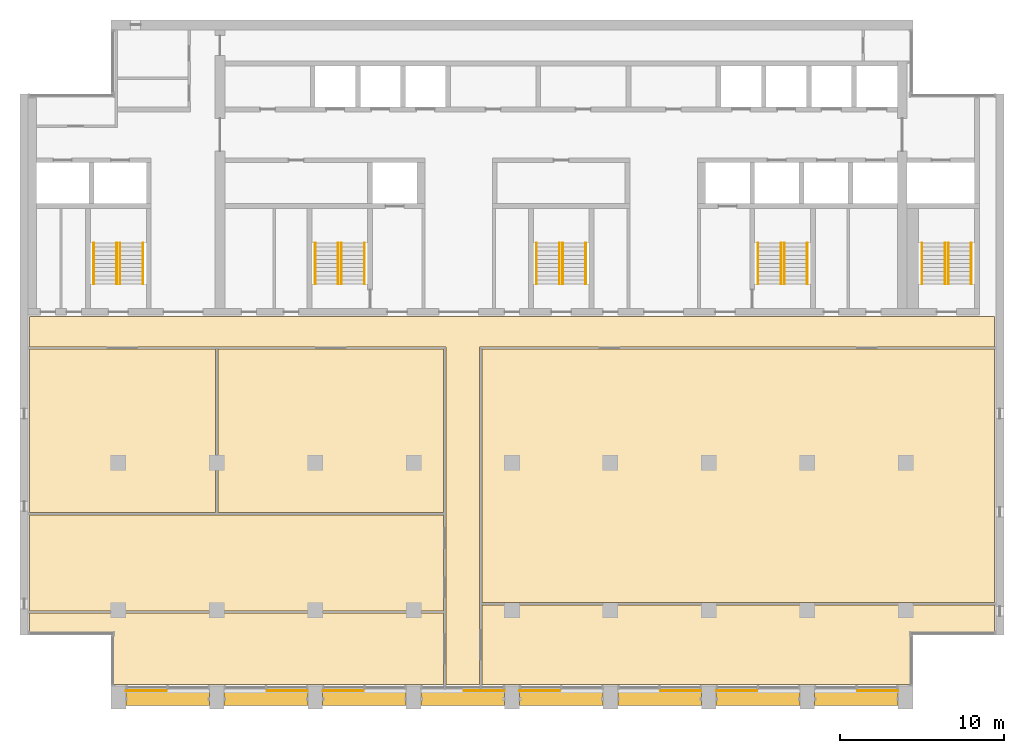
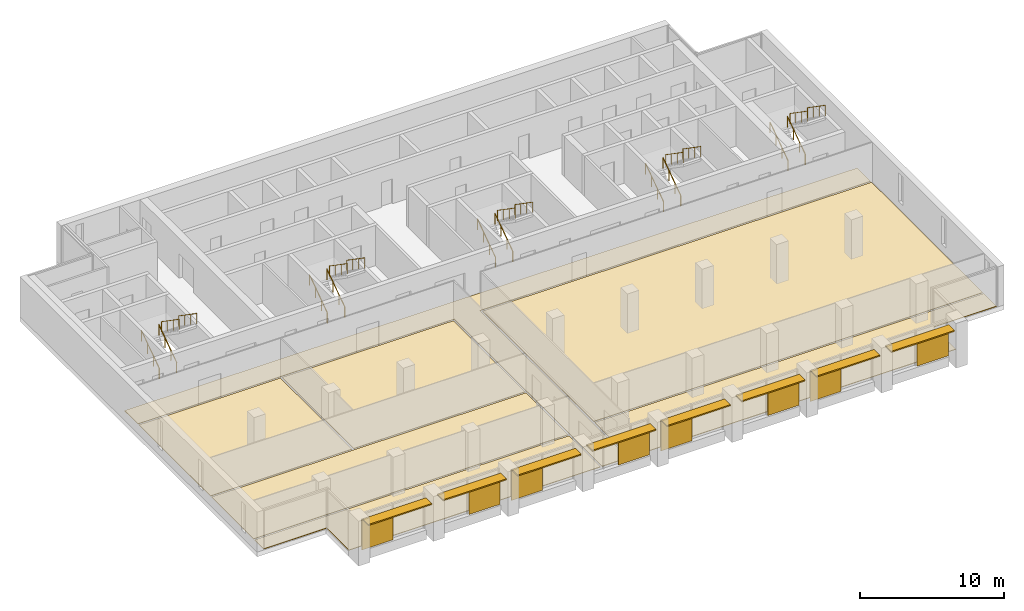
# One storey, part 14 of 14: 20 railings, 16 shading devices, 7 coverings, 5 elements without a shape of their own.
"""IFC4 building model written with IfcOpenShell, lengths in metres."""

from ifc_helpers import new_model, si_unit, direction, frame, origin, origin_2d, place, context, subcontext, project, spatial, polyline, rectangle, circle, outline, extrude, material, layer, layer_set, material_profile, profile_set, type_object, element, aggregate, save


model = new_model("IFC4")

# Units and contexts
model_context = context("Model", 3, precision=1e-05, world=origin(), true_north=direction((0.0, 1.0)))
body_context = subcontext(model_context, "Body", "Model", "MODEL_VIEW")
ifc_project = project(units=[si_unit("LENGTHUNIT", "METRE"), si_unit("AREAUNIT", "SQUARE_METRE"), si_unit("VOLUMEUNIT", "CUBIC_METRE"), si_unit("PLANEANGLEUNIT", "RADIAN"), si_unit("MASSUNIT", "GRAM", prefix="KILO")], contexts=[model_context])

# Site, building, storey
site_placement = place(None, origin())
site = spatial("IfcSite", under=ifc_project, at=site_placement, CompositionType="ELEMENT")
building_placement = place(site_placement, origin())
building = spatial("IfcBuilding", under=site, at=building_placement, Name="Calvaro Tower", CompositionType="ELEMENT")
storey_placement = place(building_placement, frame((0.0, 0.0, 235.550048828125)))
storey = spatial("IfcBuildingStorey", under=building, at=storey_placement, Name="L59", CompositionType="ELEMENT", Elevation=235.550048828125)

# Shading devices
ifc_material_1 = material(Name="Anodised aluminium", Category="aluminium")
ifc_material_profile = material_profile(ifc_material_1, rectangle(XDim=0.800048828125, YDim=0.10009765625, at=origin_2d()), Name="Brise-soleil blade 800 x 100")
ifc_profile_set = profile_set([ifc_material_profile], Name="Anodised aluminium")
shading_device_type_1 = type_object("IfcShadingDeviceType", Name="Brise-soleil blade 800 x 100", PredefinedType="JALOUSIE", material=ifc_profile_set)
for number, where, z_axis, x_axis, name in (
    (1, (12.449951171875, 4.60009765625, 2.64990234375), (1.0, 0.0, 0.0), (0.0, 1.0, 0.0), "Brise-soleil blade 1"),
    (2, (18.449951171875, 4.60009765625, 2.64990234375), (1.0, 0.0, 0.0), (0.0, 1.0, 0.0), "Brise-soleil blade 2"),
    (3, (24.449951171875, 4.60009765625, 2.64990234375), (1.0, 0.0, 0.0), (0.0, 1.0, 0.0), "Brise-soleil blade 3"),
    (4, (30.449951171875, 4.60009765625, 2.64990234375), (1.0, 0.0, 0.0), (0.0, 1.0, 0.0), "Brise-soleil blade 4"),
    (5, (36.449951171875, 4.60009765625, 2.64990234375), (1.0, 0.0, 0.0), (0.0, 1.0, 0.0), "Brise-soleil blade 5"),
    (6, (42.449951171875, 4.60009765625, 2.64990234375), (1.0, 0.0, 0.0), (0.0, 1.0, 0.0), "Brise-soleil blade 6"),
    (7, (48.449951171875, 4.60009765625, 2.64990234375), (1.0, 0.0, 0.0), (0.0, 1.0, 0.0), "Brise-soleil blade 7"),
    (8, (54.449951171875, 4.60009765625, 2.64990234375), (1.0, 0.0, 0.0), (0.0, 1.0, 0.0), "Brise-soleil blade 8"),
):
    element("IfcShadingDevice", number, at=place(storey_placement, frame(where, z_axis=z_axis, x_axis=x_axis)), inside=storey, type_object=shading_device_type_1, Name=name, PredefinedType="JALOUSIE", context=body_context, shape_type="SweptSolid", body=[
        extrude(rectangle(XDim=0.800048828125, YDim=0.10009765625, at=origin_2d()), origin(), (0.0, 0.0, 1.0), 5.10009765625),
    ])

# Coverings
ifc_material_2 = material(Name="Cement screed with carpet tile finish")
ifc_layer_1 = layer(ifc_material_2, 0.050048828125)
ifc_layer_set_1 = layer_set([ifc_layer_1], Name="Cement screed with carpet tile finish")
covering_type = type_object("IfcCoveringType", Name="Floor finish 50", PredefinedType="FLOORING", material=ifc_layer_set_1)
covering_1_placement = place(storey_placement, origin())
element("IfcCovering", 9, at=covering_1_placement, inside=storey, type_object=covering_type, Name="Floor finish 34.01", PredefinedType="FLOORING", context=body_context, shape_type="SweptSolid", body=[
    extrude(outline(polyline([(31.969970703125, 5.469970703125), (31.969970703125, 26.070068359375), (6.570068359375, 26.070068359375), (6.570068359375, 27.929931640625), (65.429931640625, 27.929931640625), (65.429931640625, 26.070068359375), (34.030029296875, 26.070068359375), (34.030029296875, 5.469970703125), (31.969970703125, 5.469970703125)])), origin(), (0.0, 0.0, 1.0), 0.050048828125),
])
covering_2_placement = place(storey_placement, origin())
element("IfcCovering", 10, at=covering_2_placement, inside=storey, type_object=covering_type, Name="Floor finish 34.02", PredefinedType="FLOORING", context=body_context, shape_type="SweptSolid", body=[
    extrude(outline(polyline([(31.830078125, 9.830078125), (31.830078125, 5.469970703125), (11.6201171875, 5.469970703125), (11.6201171875, 8.570068359375), (6.570068359375, 8.570068359375), (6.570068359375, 9.830078125), (31.830078125, 9.830078125)])), origin(), (0.0, 0.0, 1.0), 0.050048828125),
])
covering_3_placement = place(storey_placement, origin())
element("IfcCovering", 11, at=covering_3_placement, inside=storey, type_object=covering_type, Name="Floor finish 34.04", PredefinedType="FLOORING", context=body_context, shape_type="SweptSolid", body=[
    extrude(outline(polyline([(31.830078125, 15.830078125), (31.830078125, 9.969970703125), (6.570068359375, 9.969970703125), (6.570068359375, 15.830078125), (31.830078125, 15.830078125)])), origin(), (0.0, 0.0, 1.0), 0.050048828125),
])
covering_4_placement = place(storey_placement, origin())
element("IfcCovering", 12, at=covering_4_placement, inside=storey, type_object=covering_type, Name="Floor finish 34.07", PredefinedType="FLOORING", context=body_context, shape_type="SweptSolid", body=[
    extrude(outline(polyline([(17.929931640625, 25.929931640625), (17.929931640625, 15.969970703125), (6.570068359375, 15.969970703125), (6.570068359375, 25.929931640625), (17.929931640625, 25.929931640625)])), origin(), (0.0, 0.0, 1.0), 0.050048828125),
])
covering_5_placement = place(storey_placement, origin())
element("IfcCovering", 13, at=covering_5_placement, inside=storey, type_object=covering_type, Name="Floor finish 34.06", PredefinedType="FLOORING", context=body_context, shape_type="SweptSolid", body=[
    extrude(outline(polyline([(18.070068359375, 15.969970703125), (18.070068359375, 25.929931640625), (31.830078125, 25.929931640625), (31.830078125, 15.969970703125), (18.070068359375, 15.969970703125)])), origin(), (0.0, 0.0, 1.0), 0.050048828125),
])
covering_6_placement = place(storey_placement, origin())
element("IfcCovering", 14, at=covering_6_placement, inside=storey, type_object=covering_type, Name="Floor finish 34.03", PredefinedType="FLOORING", context=body_context, shape_type="SweptSolid", body=[
    extrude(outline(polyline([(65.429931640625, 8.570068359375), (60.3798828125, 8.570068359375), (60.3798828125, 5.469970703125), (34.169921875, 5.469970703125), (34.169921875, 10.330078125), (65.429931640625, 10.330078125), (65.429931640625, 8.570068359375)])), origin(), (0.0, 0.0, 1.0), 0.050048828125),
])
covering_7_placement = place(storey_placement, origin())
element("IfcCovering", 15, at=covering_7_placement, inside=storey, type_object=covering_type, Name="Floor finish 34.05", PredefinedType="FLOORING", context=body_context, shape_type="SweptSolid", body=[
    extrude(outline(polyline([(65.429931640625, 10.469970703125), (34.169921875, 10.469970703125), (34.169921875, 25.929931640625), (65.429931640625, 25.929931640625), (65.429931640625, 10.469970703125)])), origin(), (0.0, 0.0, 1.0), 0.050048828125),
])

# Shading devices
ifc_material_3 = material(Name="Ceramic")
ifc_layer_2 = layer(ifc_material_3, 0.0400390625)
ifc_layer_set_2 = layer_set([ifc_layer_2], Name="Ceramic")
shading_device_type_2 = type_object("IfcShadingDeviceType", Name="Sliding ceramic screen 2500", PredefinedType="SHUTTER", material=ifc_layer_set_2)
for number, where, z_axis, x_axis, name in (
    (16, (13.699951171875, 5.10009765625, 0.0), (0.0, 0.0, 1.0), (1.0, 0.0, 0.0), "Sliding screen 1"),
    (17, (22.300048828125, 5.10009765625, 0.0), (0.0, 0.0, 1.0), (1.0, 0.0, 0.0), "Sliding screen 2"),
    (18, (25.699951171875, 5.10009765625, 0.0), (0.0, 0.0, 1.0), (1.0, 0.0, 0.0), "Sliding screen 3"),
    (19, (34.300048828125, 5.10009765625, 0.0), (0.0, 0.0, 1.0), (1.0, 0.0, 0.0), "Sliding screen 4"),
    (20, (37.699951171875, 5.10009765625, 0.0), (0.0, 0.0, 1.0), (1.0, 0.0, 0.0), "Sliding screen 5"),
    (21, (46.300048828125, 5.10009765625, 0.0), (0.0, 0.0, 1.0), (1.0, 0.0, 0.0), "Sliding screen 6"),
    (22, (49.699951171875, 5.10009765625, 0.0), (0.0, 0.0, 1.0), (1.0, 0.0, 0.0), "Sliding screen 7"),
    (23, (58.300048828125, 5.10009765625, 0.0), (0.0, 0.0, 1.0), (1.0, 0.0, 0.0), "Sliding screen 8"),
):
    element("IfcShadingDevice", number, at=place(storey_placement, frame(where, z_axis=z_axis, x_axis=x_axis)), inside=storey, type_object=shading_device_type_2, Name=name, PredefinedType="SHUTTER", context=body_context, shape_type="SweptSolid", body=[
        extrude(rectangle(XDim=2.5, YDim=0.0400390625, at=origin_2d()), origin(), (0.0, 0.0, 1.0), 2.60009765625),
    ])

# Stair, railings
ifc_material_4 = material(Name="Concrete C40/50", Category="concrete")
stair_type = type_object("IfcStairType", Name="Exit stair 1400 2 flights", PredefinedType="HALF_TURN_STAIR", material=ifc_material_4)
stair_1_placement = place(storey_placement, origin())
stair_1 = element("IfcStair", 24, at=stair_1_placement, inside=storey, type_object=stair_type, Name="Exit stair S1", PredefinedType="HALF_TURN_STAIR")
ifc_material_5 = material(Name="Stainless steel", Category="steel")
railing_type = type_object("IfcRailingType", Name="Stair handrail", PredefinedType="HANDRAIL", material=ifc_material_5)
railing_1_placement = place(storey_placement, frame((11.89990234375, 29.89990234375, 0.172607421875)))
railing_1 = element("IfcRailing", 25, at=railing_1_placement, type_object=railing_type, Name="Exit stair 1 handrail", PredefinedType="HANDRAIL", context=body_context, shape_type="SweptSolid", body=[
    extrude(circle(Radius=0.02392578125, at=origin_2d()), frame((0.0, 0.0, 0.8759765625), z_axis=(0.0, 0.822726922227, 0.568436813941), x_axis=(-1.0, 0.0, 0.0)), (0.0, 0.0, 1.0), 3.03857421875),
    extrude(circle(Radius=0.02099609375, at=origin_2d()), frame((0.0, 0.017333984375, 0.011962890625)), (0.0, 0.0, 1.0), 0.851806640625),
    extrude(circle(Radius=0.02099609375, at=origin_2d()), frame((0.0, 0.833251953125, 0.57568359375)), (0.0, 0.0, 1.0), 0.851806640625),
    extrude(circle(Radius=0.02099609375, at=origin_2d()), frame((0.0, 1.666748046875, 1.151611328125)), (0.0, 0.0, 1.0), 0.851806640625),
    extrude(circle(Radius=0.02099609375, at=origin_2d()), frame((0.0, 2.482666015625, 1.71533203125)), (0.0, 0.0, 1.0), 0.851806640625),
])
railing_2_placement = place(storey_placement, frame((10.5, 29.89990234375, 0.172607421875)))
railing_2 = element("IfcRailing", 26, at=railing_2_placement, type_object=railing_type, Name="Exit stair 1 handrail", PredefinedType="HANDRAIL", context=body_context, shape_type="SweptSolid", body=[
    extrude(circle(Radius=0.02392578125, at=origin_2d()), frame((0.0, 0.0, 0.8759765625), z_axis=(0.0, 0.822726922227, 0.568436813941), x_axis=(-1.0, 0.0, 0.0)), (0.0, 0.0, 1.0), 3.03857421875),
    extrude(circle(Radius=0.02099609375, at=origin_2d()), frame((0.0, 0.017333984375, 0.011962890625)), (0.0, 0.0, 1.0), 0.851806640625),
    extrude(circle(Radius=0.02099609375, at=origin_2d()), frame((0.0, 0.833251953125, 0.57568359375)), (0.0, 0.0, 1.0), 0.851806640625),
    extrude(circle(Radius=0.02099609375, at=origin_2d()), frame((0.0, 1.666748046875, 1.151611328125)), (0.0, 0.0, 1.0), 0.851806640625),
    extrude(circle(Radius=0.02099609375, at=origin_2d()), frame((0.0, 2.482666015625, 1.71533203125)), (0.0, 0.0, 1.0), 0.851806640625),
])
railing_3_placement = place(storey_placement, frame((12.10009765625, 32.39990234375, 2.07275390625)))
railing_3 = element("IfcRailing", 27, at=railing_3_placement, type_object=railing_type, Name="Exit stair 1 handrail", PredefinedType="HANDRAIL", context=body_context, shape_type="SweptSolid", body=[
    extrude(circle(Radius=0.02392578125, at=origin_2d()), frame((0.0, 0.0, 0.8759765625), z_axis=(0.0, -0.822726922227, 0.568436813941), x_axis=(1.0, 0.0, 0.0)), (0.0, 0.0, 1.0), 3.03857421875),
    extrude(circle(Radius=0.02099609375, at=origin_2d()), frame((0.0, -0.017333984375, 0.011962890625)), (0.0, 0.0, 1.0), 0.851806640625),
    extrude(circle(Radius=0.02099609375, at=origin_2d()), frame((0.0, -0.833251953125, 0.57568359375)), (0.0, 0.0, 1.0), 0.851806640625),
    extrude(circle(Radius=0.02099609375, at=origin_2d()), frame((0.0, -1.666748046875, 1.151611328125)), (0.0, 0.0, 1.0), 0.851806640625),
    extrude(circle(Radius=0.02099609375, at=origin_2d()), frame((0.0, -2.482666015625, 1.71533203125)), (0.0, 0.0, 1.0), 0.851806640625),
])
railing_4_placement = place(storey_placement, frame((13.5, 32.39990234375, 2.07275390625)))
railing_4 = element("IfcRailing", 28, at=railing_4_placement, type_object=railing_type, Name="Exit stair 1 handrail", PredefinedType="HANDRAIL", context=body_context, shape_type="SweptSolid", body=[
    extrude(circle(Radius=0.02392578125, at=origin_2d()), frame((0.0, 0.0, 0.8759765625), z_axis=(0.0, -0.822726922227, 0.568436813941), x_axis=(1.0, 0.0, 0.0)), (0.0, 0.0, 1.0), 3.03857421875),
    extrude(circle(Radius=0.02099609375, at=origin_2d()), frame((0.0, -0.017333984375, 0.011962890625)), (0.0, 0.0, 1.0), 0.851806640625),
    extrude(circle(Radius=0.02099609375, at=origin_2d()), frame((0.0, -0.833251953125, 0.57568359375)), (0.0, 0.0, 1.0), 0.851806640625),
    extrude(circle(Radius=0.02099609375, at=origin_2d()), frame((0.0, -1.666748046875, 1.151611328125)), (0.0, 0.0, 1.0), 0.851806640625),
    extrude(circle(Radius=0.02099609375, at=origin_2d()), frame((0.0, -2.482666015625, 1.71533203125)), (0.0, 0.0, 1.0), 0.851806640625),
])
aggregate(stair_1, [railing_1, railing_2, railing_3, railing_4])

stair_2_placement = place(storey_placement, origin())
stair_2 = element("IfcStair", 29, at=stair_2_placement, inside=storey, type_object=stair_type, Name="Exit stair S2", PredefinedType="HALF_TURN_STAIR")
railing_5_placement = place(storey_placement, frame((25.39990234375, 29.89990234375, 0.172607421875)))
railing_5 = element("IfcRailing", 30, at=railing_5_placement, type_object=railing_type, Name="Exit stair 2 handrail", PredefinedType="HANDRAIL", context=body_context, shape_type="SweptSolid", body=[
    extrude(circle(Radius=0.02392578125, at=origin_2d()), frame((0.0, 0.0, 0.8759765625), z_axis=(0.0, 0.822726922227, 0.568436813941), x_axis=(-1.0, 0.0, 0.0)), (0.0, 0.0, 1.0), 3.03857421875),
    extrude(circle(Radius=0.02099609375, at=origin_2d()), frame((0.0, 0.017333984375, 0.011962890625)), (0.0, 0.0, 1.0), 0.851806640625),
    extrude(circle(Radius=0.02099609375, at=origin_2d()), frame((0.0, 0.833251953125, 0.57568359375)), (0.0, 0.0, 1.0), 0.851806640625),
    extrude(circle(Radius=0.02099609375, at=origin_2d()), frame((0.0, 1.666748046875, 1.151611328125)), (0.0, 0.0, 1.0), 0.851806640625),
    extrude(circle(Radius=0.02099609375, at=origin_2d()), frame((0.0, 2.482666015625, 1.71533203125)), (0.0, 0.0, 1.0), 0.851806640625),
])
railing_6_placement = place(storey_placement, frame((24.0, 29.89990234375, 0.172607421875)))
railing_6 = element("IfcRailing", 31, at=railing_6_placement, type_object=railing_type, Name="Exit stair 2 handrail", PredefinedType="HANDRAIL", context=body_context, shape_type="SweptSolid", body=[
    extrude(circle(Radius=0.02392578125, at=origin_2d()), frame((0.0, 0.0, 0.8759765625), z_axis=(0.0, 0.822726922227, 0.568436813941), x_axis=(-1.0, 0.0, 0.0)), (0.0, 0.0, 1.0), 3.03857421875),
    extrude(circle(Radius=0.02099609375, at=origin_2d()), frame((0.0, 0.017333984375, 0.011962890625)), (0.0, 0.0, 1.0), 0.851806640625),
    extrude(circle(Radius=0.02099609375, at=origin_2d()), frame((0.0, 0.833251953125, 0.57568359375)), (0.0, 0.0, 1.0), 0.851806640625),
    extrude(circle(Radius=0.02099609375, at=origin_2d()), frame((0.0, 1.666748046875, 1.151611328125)), (0.0, 0.0, 1.0), 0.851806640625),
    extrude(circle(Radius=0.02099609375, at=origin_2d()), frame((0.0, 2.482666015625, 1.71533203125)), (0.0, 0.0, 1.0), 0.851806640625),
])
railing_7_placement = place(storey_placement, frame((25.60009765625, 32.39990234375, 2.07275390625)))
railing_7 = element("IfcRailing", 32, at=railing_7_placement, type_object=railing_type, Name="Exit stair 2 handrail", PredefinedType="HANDRAIL", context=body_context, shape_type="SweptSolid", body=[
    extrude(circle(Radius=0.02392578125, at=origin_2d()), frame((0.0, 0.0, 0.8759765625), z_axis=(0.0, -0.822726922227, 0.568436813941), x_axis=(1.0, 0.0, 0.0)), (0.0, 0.0, 1.0), 3.03857421875),
    extrude(circle(Radius=0.02099609375, at=origin_2d()), frame((0.0, -0.017333984375, 0.011962890625)), (0.0, 0.0, 1.0), 0.851806640625),
    extrude(circle(Radius=0.02099609375, at=origin_2d()), frame((0.0, -0.833251953125, 0.57568359375)), (0.0, 0.0, 1.0), 0.851806640625),
    extrude(circle(Radius=0.02099609375, at=origin_2d()), frame((0.0, -1.666748046875, 1.151611328125)), (0.0, 0.0, 1.0), 0.851806640625),
    extrude(circle(Radius=0.02099609375, at=origin_2d()), frame((0.0, -2.482666015625, 1.71533203125)), (0.0, 0.0, 1.0), 0.851806640625),
])
railing_8_placement = place(storey_placement, frame((27.0, 32.39990234375, 2.07275390625)))
railing_8 = element("IfcRailing", 33, at=railing_8_placement, type_object=railing_type, Name="Exit stair 2 handrail", PredefinedType="HANDRAIL", context=body_context, shape_type="SweptSolid", body=[
    extrude(circle(Radius=0.02392578125, at=origin_2d()), frame((0.0, 0.0, 0.8759765625), z_axis=(0.0, -0.822726922227, 0.568436813941), x_axis=(1.0, 0.0, 0.0)), (0.0, 0.0, 1.0), 3.03857421875),
    extrude(circle(Radius=0.02099609375, at=origin_2d()), frame((0.0, -0.017333984375, 0.011962890625)), (0.0, 0.0, 1.0), 0.851806640625),
    extrude(circle(Radius=0.02099609375, at=origin_2d()), frame((0.0, -0.833251953125, 0.57568359375)), (0.0, 0.0, 1.0), 0.851806640625),
    extrude(circle(Radius=0.02099609375, at=origin_2d()), frame((0.0, -1.666748046875, 1.151611328125)), (0.0, 0.0, 1.0), 0.851806640625),
    extrude(circle(Radius=0.02099609375, at=origin_2d()), frame((0.0, -2.482666015625, 1.71533203125)), (0.0, 0.0, 1.0), 0.851806640625),
])
aggregate(stair_2, [railing_5, railing_6, railing_7, railing_8])

stair_3_placement = place(storey_placement, origin())
stair_3 = element("IfcStair", 34, at=stair_3_placement, inside=storey, type_object=stair_type, Name="Exit stair S3", PredefinedType="HALF_TURN_STAIR")
railing_9_placement = place(storey_placement, frame((38.89990234375, 29.89990234375, 0.172607421875)))
railing_9 = element("IfcRailing", 35, at=railing_9_placement, type_object=railing_type, Name="Exit stair 3 handrail", PredefinedType="HANDRAIL", context=body_context, shape_type="SweptSolid", body=[
    extrude(circle(Radius=0.02392578125, at=origin_2d()), frame((0.0, 0.0, 0.8759765625), z_axis=(0.0, 0.822726922227, 0.568436813941), x_axis=(-1.0, 0.0, 0.0)), (0.0, 0.0, 1.0), 3.03857421875),
    extrude(circle(Radius=0.02099609375, at=origin_2d()), frame((0.0, 0.017333984375, 0.011962890625)), (0.0, 0.0, 1.0), 0.851806640625),
    extrude(circle(Radius=0.02099609375, at=origin_2d()), frame((0.0, 0.833251953125, 0.57568359375)), (0.0, 0.0, 1.0), 0.851806640625),
    extrude(circle(Radius=0.02099609375, at=origin_2d()), frame((0.0, 1.666748046875, 1.151611328125)), (0.0, 0.0, 1.0), 0.851806640625),
    extrude(circle(Radius=0.02099609375, at=origin_2d()), frame((0.0, 2.482666015625, 1.71533203125)), (0.0, 0.0, 1.0), 0.851806640625),
])
railing_10_placement = place(storey_placement, frame((37.5, 29.89990234375, 0.172607421875)))
railing_10 = element("IfcRailing", 36, at=railing_10_placement, type_object=railing_type, Name="Exit stair 3 handrail", PredefinedType="HANDRAIL", context=body_context, shape_type="SweptSolid", body=[
    extrude(circle(Radius=0.02392578125, at=origin_2d()), frame((0.0, 0.0, 0.8759765625), z_axis=(0.0, 0.822726922227, 0.568436813941), x_axis=(-1.0, 0.0, 0.0)), (0.0, 0.0, 1.0), 3.03857421875),
    extrude(circle(Radius=0.02099609375, at=origin_2d()), frame((0.0, 0.017333984375, 0.011962890625)), (0.0, 0.0, 1.0), 0.851806640625),
    extrude(circle(Radius=0.02099609375, at=origin_2d()), frame((0.0, 0.833251953125, 0.57568359375)), (0.0, 0.0, 1.0), 0.851806640625),
    extrude(circle(Radius=0.02099609375, at=origin_2d()), frame((0.0, 1.666748046875, 1.151611328125)), (0.0, 0.0, 1.0), 0.851806640625),
    extrude(circle(Radius=0.02099609375, at=origin_2d()), frame((0.0, 2.482666015625, 1.71533203125)), (0.0, 0.0, 1.0), 0.851806640625),
])
railing_11_placement = place(storey_placement, frame((39.10009765625, 32.39990234375, 2.07275390625)))
railing_11 = element("IfcRailing", 37, at=railing_11_placement, type_object=railing_type, Name="Exit stair 3 handrail", PredefinedType="HANDRAIL", context=body_context, shape_type="SweptSolid", body=[
    extrude(circle(Radius=0.02392578125, at=origin_2d()), frame((0.0, 0.0, 0.8759765625), z_axis=(0.0, -0.822726922227, 0.568436813941), x_axis=(1.0, 0.0, 0.0)), (0.0, 0.0, 1.0), 3.03857421875),
    extrude(circle(Radius=0.02099609375, at=origin_2d()), frame((0.0, -0.017333984375, 0.011962890625)), (0.0, 0.0, 1.0), 0.851806640625),
    extrude(circle(Radius=0.02099609375, at=origin_2d()), frame((0.0, -0.833251953125, 0.57568359375)), (0.0, 0.0, 1.0), 0.851806640625),
    extrude(circle(Radius=0.02099609375, at=origin_2d()), frame((0.0, -1.666748046875, 1.151611328125)), (0.0, 0.0, 1.0), 0.851806640625),
    extrude(circle(Radius=0.02099609375, at=origin_2d()), frame((0.0, -2.482666015625, 1.71533203125)), (0.0, 0.0, 1.0), 0.851806640625),
])
railing_12_placement = place(storey_placement, frame((40.5, 32.39990234375, 2.07275390625)))
railing_12 = element("IfcRailing", 38, at=railing_12_placement, type_object=railing_type, Name="Exit stair 3 handrail", PredefinedType="HANDRAIL", context=body_context, shape_type="SweptSolid", body=[
    extrude(circle(Radius=0.02392578125, at=origin_2d()), frame((0.0, 0.0, 0.8759765625), z_axis=(0.0, -0.822726922227, 0.568436813941), x_axis=(1.0, 0.0, 0.0)), (0.0, 0.0, 1.0), 3.03857421875),
    extrude(circle(Radius=0.02099609375, at=origin_2d()), frame((0.0, -0.017333984375, 0.011962890625)), (0.0, 0.0, 1.0), 0.851806640625),
    extrude(circle(Radius=0.02099609375, at=origin_2d()), frame((0.0, -0.833251953125, 0.57568359375)), (0.0, 0.0, 1.0), 0.851806640625),
    extrude(circle(Radius=0.02099609375, at=origin_2d()), frame((0.0, -1.666748046875, 1.151611328125)), (0.0, 0.0, 1.0), 0.851806640625),
    extrude(circle(Radius=0.02099609375, at=origin_2d()), frame((0.0, -2.482666015625, 1.71533203125)), (0.0, 0.0, 1.0), 0.851806640625),
])
aggregate(stair_3, [railing_9, railing_10, railing_11, railing_12])

stair_4_placement = place(storey_placement, origin())
stair_4 = element("IfcStair", 39, at=stair_4_placement, inside=storey, type_object=stair_type, Name="Exit stair S4", PredefinedType="HALF_TURN_STAIR")
railing_13_placement = place(storey_placement, frame((52.39990234375, 29.89990234375, 0.172607421875)))
railing_13 = element("IfcRailing", 40, at=railing_13_placement, type_object=railing_type, Name="Exit stair 4 handrail", PredefinedType="HANDRAIL", context=body_context, shape_type="SweptSolid", body=[
    extrude(circle(Radius=0.02392578125, at=origin_2d()), frame((0.0, 0.0, 0.8759765625), z_axis=(0.0, 0.822726922227, 0.568436813941), x_axis=(-1.0, 0.0, 0.0)), (0.0, 0.0, 1.0), 3.03857421875),
    extrude(circle(Radius=0.02099609375, at=origin_2d()), frame((0.0, 0.017333984375, 0.011962890625)), (0.0, 0.0, 1.0), 0.851806640625),
    extrude(circle(Radius=0.02099609375, at=origin_2d()), frame((0.0, 0.833251953125, 0.57568359375)), (0.0, 0.0, 1.0), 0.851806640625),
    extrude(circle(Radius=0.02099609375, at=origin_2d()), frame((0.0, 1.666748046875, 1.151611328125)), (0.0, 0.0, 1.0), 0.851806640625),
    extrude(circle(Radius=0.02099609375, at=origin_2d()), frame((0.0, 2.482666015625, 1.71533203125)), (0.0, 0.0, 1.0), 0.851806640625),
])
railing_14_placement = place(storey_placement, frame((51.0, 29.89990234375, 0.172607421875)))
railing_14 = element("IfcRailing", 41, at=railing_14_placement, type_object=railing_type, Name="Exit stair 4 handrail", PredefinedType="HANDRAIL", context=body_context, shape_type="SweptSolid", body=[
    extrude(circle(Radius=0.02392578125, at=origin_2d()), frame((0.0, 0.0, 0.8759765625), z_axis=(0.0, 0.822726922227, 0.568436813941), x_axis=(-1.0, 0.0, 0.0)), (0.0, 0.0, 1.0), 3.03857421875),
    extrude(circle(Radius=0.02099609375, at=origin_2d()), frame((0.0, 0.017333984375, 0.011962890625)), (0.0, 0.0, 1.0), 0.851806640625),
    extrude(circle(Radius=0.02099609375, at=origin_2d()), frame((0.0, 0.833251953125, 0.57568359375)), (0.0, 0.0, 1.0), 0.851806640625),
    extrude(circle(Radius=0.02099609375, at=origin_2d()), frame((0.0, 1.666748046875, 1.151611328125)), (0.0, 0.0, 1.0), 0.851806640625),
    extrude(circle(Radius=0.02099609375, at=origin_2d()), frame((0.0, 2.482666015625, 1.71533203125)), (0.0, 0.0, 1.0), 0.851806640625),
])
railing_15_placement = place(storey_placement, frame((52.60009765625, 32.39990234375, 2.07275390625)))
railing_15 = element("IfcRailing", 42, at=railing_15_placement, type_object=railing_type, Name="Exit stair 4 handrail", PredefinedType="HANDRAIL", context=body_context, shape_type="SweptSolid", body=[
    extrude(circle(Radius=0.02392578125, at=origin_2d()), frame((0.0, 0.0, 0.8759765625), z_axis=(0.0, -0.822726922227, 0.568436813941), x_axis=(1.0, 0.0, 0.0)), (0.0, 0.0, 1.0), 3.03857421875),
    extrude(circle(Radius=0.02099609375, at=origin_2d()), frame((0.0, -0.017333984375, 0.011962890625)), (0.0, 0.0, 1.0), 0.851806640625),
    extrude(circle(Radius=0.02099609375, at=origin_2d()), frame((0.0, -0.833251953125, 0.57568359375)), (0.0, 0.0, 1.0), 0.851806640625),
    extrude(circle(Radius=0.02099609375, at=origin_2d()), frame((0.0, -1.666748046875, 1.151611328125)), (0.0, 0.0, 1.0), 0.851806640625),
    extrude(circle(Radius=0.02099609375, at=origin_2d()), frame((0.0, -2.482666015625, 1.71533203125)), (0.0, 0.0, 1.0), 0.851806640625),
])
railing_16_placement = place(storey_placement, frame((54.0, 32.39990234375, 2.07275390625)))
railing_16 = element("IfcRailing", 43, at=railing_16_placement, type_object=railing_type, Name="Exit stair 4 handrail", PredefinedType="HANDRAIL", context=body_context, shape_type="SweptSolid", body=[
    extrude(circle(Radius=0.02392578125, at=origin_2d()), frame((0.0, 0.0, 0.8759765625), z_axis=(0.0, -0.822726922227, 0.568436813941), x_axis=(1.0, 0.0, 0.0)), (0.0, 0.0, 1.0), 3.03857421875),
    extrude(circle(Radius=0.02099609375, at=origin_2d()), frame((0.0, -0.017333984375, 0.011962890625)), (0.0, 0.0, 1.0), 0.851806640625),
    extrude(circle(Radius=0.02099609375, at=origin_2d()), frame((0.0, -0.833251953125, 0.57568359375)), (0.0, 0.0, 1.0), 0.851806640625),
    extrude(circle(Radius=0.02099609375, at=origin_2d()), frame((0.0, -1.666748046875, 1.151611328125)), (0.0, 0.0, 1.0), 0.851806640625),
    extrude(circle(Radius=0.02099609375, at=origin_2d()), frame((0.0, -2.482666015625, 1.71533203125)), (0.0, 0.0, 1.0), 0.851806640625),
])
aggregate(stair_4, [railing_13, railing_14, railing_15, railing_16])

stair_5_placement = place(storey_placement, origin())
stair_5 = element("IfcStair", 44, at=stair_5_placement, inside=storey, type_object=stair_type, Name="Exit stair S5", PredefinedType="HALF_TURN_STAIR")
railing_17_placement = place(storey_placement, frame((62.39990234375, 29.89990234375, 0.172607421875)))
railing_17 = element("IfcRailing", 45, at=railing_17_placement, type_object=railing_type, Name="Exit stair 5 handrail", PredefinedType="HANDRAIL", context=body_context, shape_type="SweptSolid", body=[
    extrude(circle(Radius=0.02392578125, at=origin_2d()), frame((0.0, 0.0, 0.8759765625), z_axis=(0.0, 0.822726922227, 0.568436813941), x_axis=(-1.0, 0.0, 0.0)), (0.0, 0.0, 1.0), 3.03857421875),
    extrude(circle(Radius=0.02099609375, at=origin_2d()), frame((0.0, 0.017333984375, 0.011962890625)), (0.0, 0.0, 1.0), 0.851806640625),
    extrude(circle(Radius=0.02099609375, at=origin_2d()), frame((0.0, 0.833251953125, 0.57568359375)), (0.0, 0.0, 1.0), 0.851806640625),
    extrude(circle(Radius=0.02099609375, at=origin_2d()), frame((0.0, 1.666748046875, 1.151611328125)), (0.0, 0.0, 1.0), 0.851806640625),
    extrude(circle(Radius=0.02099609375, at=origin_2d()), frame((0.0, 2.482666015625, 1.71533203125)), (0.0, 0.0, 1.0), 0.851806640625),
])
railing_18_placement = place(storey_placement, frame((61.0, 29.89990234375, 0.172607421875)))
railing_18 = element("IfcRailing", 46, at=railing_18_placement, type_object=railing_type, Name="Exit stair 5 handrail", PredefinedType="HANDRAIL", context=body_context, shape_type="SweptSolid", body=[
    extrude(circle(Radius=0.02392578125, at=origin_2d()), frame((0.0, 0.0, 0.8759765625), z_axis=(0.0, 0.822726922227, 0.568436813941), x_axis=(-1.0, 0.0, 0.0)), (0.0, 0.0, 1.0), 3.03857421875),
    extrude(circle(Radius=0.02099609375, at=origin_2d()), frame((0.0, 0.017333984375, 0.011962890625)), (0.0, 0.0, 1.0), 0.851806640625),
    extrude(circle(Radius=0.02099609375, at=origin_2d()), frame((0.0, 0.833251953125, 0.57568359375)), (0.0, 0.0, 1.0), 0.851806640625),
    extrude(circle(Radius=0.02099609375, at=origin_2d()), frame((0.0, 1.666748046875, 1.151611328125)), (0.0, 0.0, 1.0), 0.851806640625),
    extrude(circle(Radius=0.02099609375, at=origin_2d()), frame((0.0, 2.482666015625, 1.71533203125)), (0.0, 0.0, 1.0), 0.851806640625),
])
railing_19_placement = place(storey_placement, frame((62.60009765625, 32.39990234375, 2.07275390625)))
railing_19 = element("IfcRailing", 47, at=railing_19_placement, type_object=railing_type, Name="Exit stair 5 handrail", PredefinedType="HANDRAIL", context=body_context, shape_type="SweptSolid", body=[
    extrude(circle(Radius=0.02392578125, at=origin_2d()), frame((0.0, 0.0, 0.8759765625), z_axis=(0.0, -0.822726922227, 0.568436813941), x_axis=(1.0, 0.0, 0.0)), (0.0, 0.0, 1.0), 3.03857421875),
    extrude(circle(Radius=0.02099609375, at=origin_2d()), frame((0.0, -0.017333984375, 0.011962890625)), (0.0, 0.0, 1.0), 0.851806640625),
    extrude(circle(Radius=0.02099609375, at=origin_2d()), frame((0.0, -0.833251953125, 0.57568359375)), (0.0, 0.0, 1.0), 0.851806640625),
    extrude(circle(Radius=0.02099609375, at=origin_2d()), frame((0.0, -1.666748046875, 1.151611328125)), (0.0, 0.0, 1.0), 0.851806640625),
    extrude(circle(Radius=0.02099609375, at=origin_2d()), frame((0.0, -2.482666015625, 1.71533203125)), (0.0, 0.0, 1.0), 0.851806640625),
])
railing_20_placement = place(storey_placement, frame((64.0, 32.39990234375, 2.07275390625)))
railing_20 = element("IfcRailing", 48, at=railing_20_placement, type_object=railing_type, Name="Exit stair 5 handrail", PredefinedType="HANDRAIL", context=body_context, shape_type="SweptSolid", body=[
    extrude(circle(Radius=0.02392578125, at=origin_2d()), frame((0.0, 0.0, 0.8759765625), z_axis=(0.0, -0.822726922227, 0.568436813941), x_axis=(1.0, 0.0, 0.0)), (0.0, 0.0, 1.0), 3.03857421875),
    extrude(circle(Radius=0.02099609375, at=origin_2d()), frame((0.0, -0.017333984375, 0.011962890625)), (0.0, 0.0, 1.0), 0.851806640625),
    extrude(circle(Radius=0.02099609375, at=origin_2d()), frame((0.0, -0.833251953125, 0.57568359375)), (0.0, 0.0, 1.0), 0.851806640625),
    extrude(circle(Radius=0.02099609375, at=origin_2d()), frame((0.0, -1.666748046875, 1.151611328125)), (0.0, 0.0, 1.0), 0.851806640625),
    extrude(circle(Radius=0.02099609375, at=origin_2d()), frame((0.0, -2.482666015625, 1.71533203125)), (0.0, 0.0, 1.0), 0.851806640625),
])
aggregate(stair_5, [railing_17, railing_18, railing_19, railing_20])

save(model, "model.ifc")
